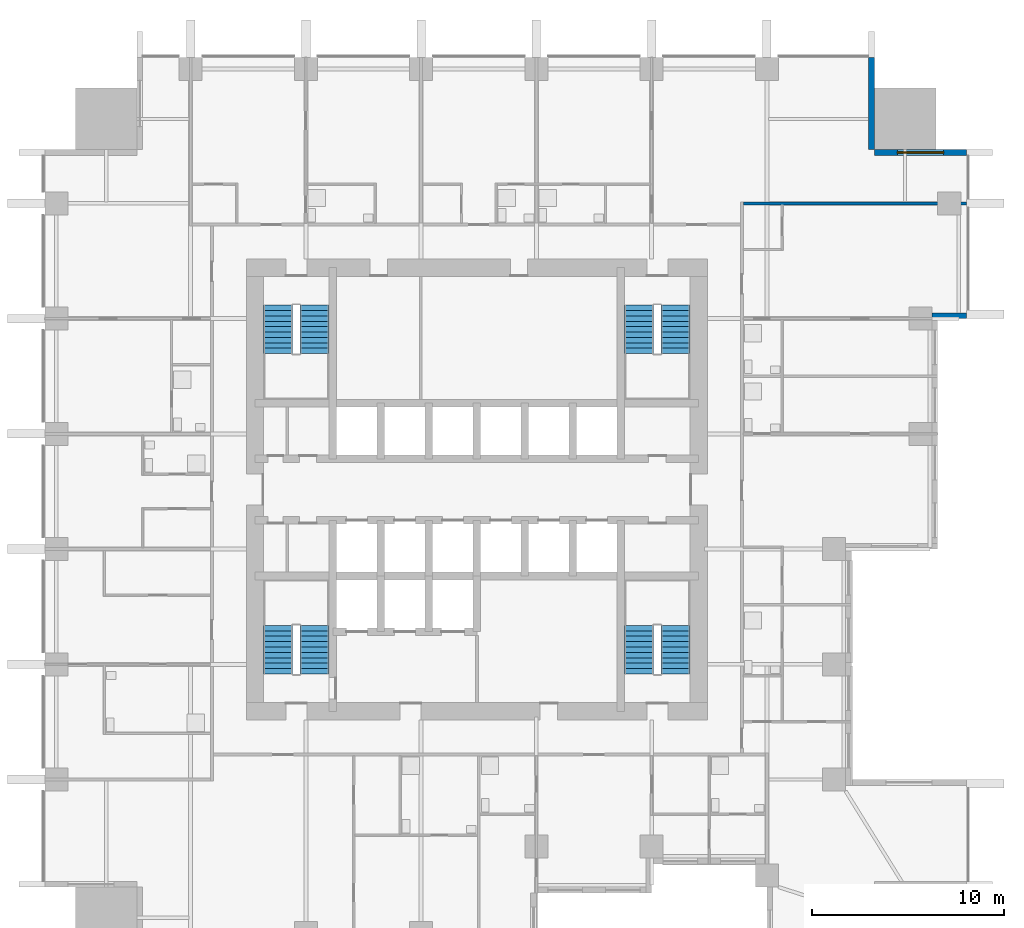
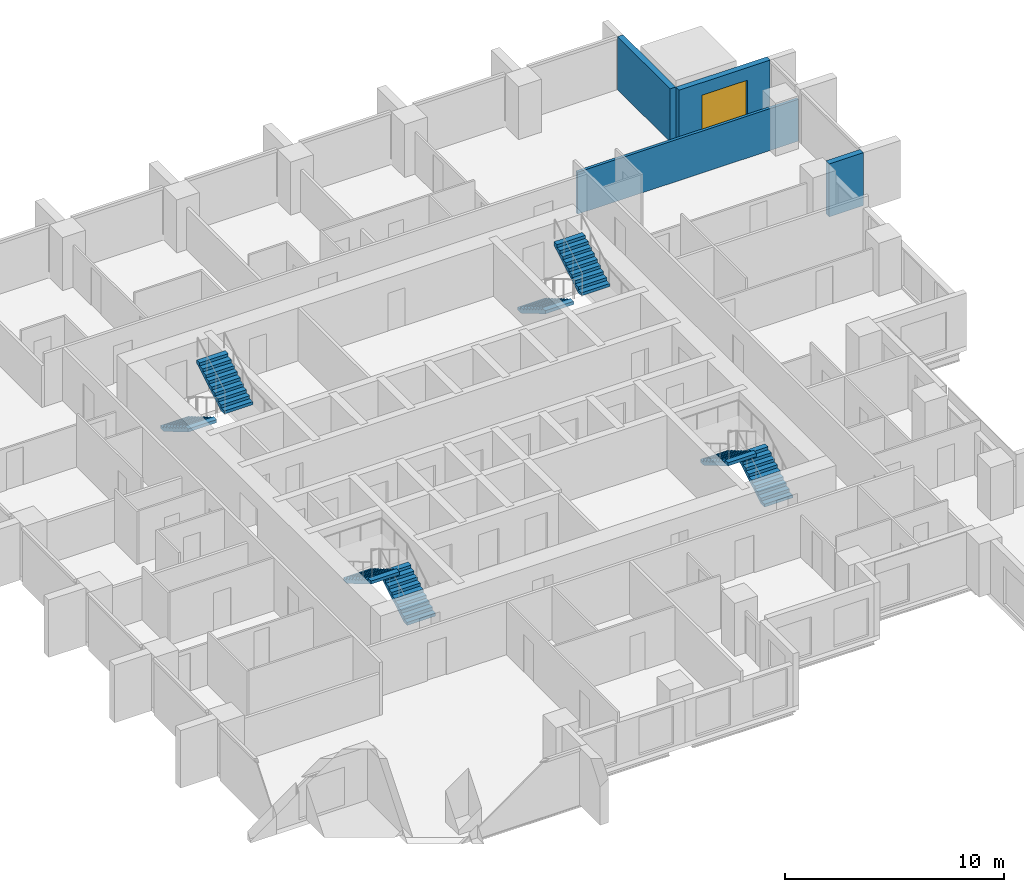
# One storey, part 8 of 10: 8 stair flights, 4 walls, 1 window, 1 opening, 4 elements without a shape of their own.
"""IFC4 building model written with IfcOpenShell, lengths in metres."""

from ifc_helpers import new_model, si_unit, direction, frame, frame_2d, origin, place, context, subcontext, project, spatial, polyline, rectangle, outline, extrude, material, layer, layer_set, type_object, element, fill, aggregate, save


model = new_model("IFC4")

# Units and contexts
model_context = context("Model", 3, precision=1e-05, world=origin(), true_north=direction((0.0, 1.0)))
body_context = subcontext(model_context, "Body", "Model", "MODEL_VIEW")
ifc_project = project(units=[si_unit("LENGTHUNIT", "METRE"), si_unit("AREAUNIT", "SQUARE_METRE"), si_unit("VOLUMEUNIT", "CUBIC_METRE"), si_unit("PLANEANGLEUNIT", "RADIAN"), si_unit("MASSUNIT", "GRAM", prefix="KILO")], contexts=[model_context])

# Site, building, storey
site_placement = place(None, origin())
site = spatial("IfcSite", under=ifc_project, at=site_placement, CompositionType="ELEMENT")
building_placement = place(site_placement, origin())
building = spatial("IfcBuilding", under=site, at=building_placement, Name="Amberfall Residences", CompositionType="ELEMENT")
storey_placement = place(building_placement, frame((0.0, 0.0, 66.39990234375)))
storey = spatial("IfcBuildingStorey", under=building, at=storey_placement, Name="L18", CompositionType="ELEMENT", Elevation=66.39990234375)

# Wall
ifc_material_1 = material(Name="Pale stone cladding on insulated backing", Category="masonry")
ifc_layer_1 = layer(ifc_material_1, 0.300048828125)
ifc_layer_set_1 = layer_set([ifc_layer_1], Name="Bronze clad wall 300")
wall_type_1 = type_object("IfcWallType", Name="Bronze clad wall 300", PredefinedType="SOLIDWALL", material=ifc_layer_set_1)
wall_1_placement = place(storey_placement, frame((98.199951171875, 54.550048828125, 0.0), z_axis=(0.0, 0.0, 1.0), x_axis=(1.0, 0.0, 0.0)))
element("IfcWall", 1, at=wall_1_placement, inside=storey, type_object=wall_type_1, Name="External wall L18 E", PredefinedType="SOLIDWALL", context=body_context, shape_type="SweptSolid", body=[
    extrude(rectangle(XDim=1.800048828125, YDim=0.300048828125, at=frame_2d((0.89990234375, 0.0))), origin(), (0.0, 0.0, 1.0), 2.9501953125),
])

# Wall, opening, window
wall_2_placement = place(storey_placement, frame((100.0, 63.050048828125, 0.0), z_axis=(0.0, 0.0, 1.0), x_axis=(-1.0, 0.0, 0.0)))
wall_2 = element("IfcWall", 2, at=wall_2_placement, inside=storey, type_object=wall_type_1, Name="External wall L18 NE", PredefinedType="SOLIDWALL", context=body_context, shape_type="SweptSolid", body=[
    extrude(rectangle(XDim=4.800048828125, YDim=0.300048828125, at=frame_2d((2.39990234375, 0.0))), origin(), (0.0, 0.0, 1.0), 2.9501953125),
])
opening_placement = place(wall_2_placement, frame((1.199951171875, 0.0, 0.14990234375)))
opening = element("IfcOpeningElement", 3, at=opening_placement, cuts=wall_2, Name="Opening WN5", PredefinedType="OPENING", context=body_context, shape_type="SweptSolid", body=[
    extrude(rectangle(XDim=2.39990234375, YDim=2.10009765625, at=frame_2d((1.199951171875, 1.050048828125))), frame((0.0, 0.159912109375, 0.0), z_axis=(0.0, -1.0, 0.0), x_axis=(1.0, 0.0, 0.0)), (0.0, 0.0, 1.0), 0.320068359375),
])
ifc_material_2 = material(Name="Bronze aluminium framed glazing", Category="aluminium")
window_type = type_object("IfcWindowType", Name="Glazed opening 2400 x 2100 bronze", PartitioningType="DOUBLE_PANEL_VERTICAL", PredefinedType="WINDOW", material=ifc_material_2)
window_placement = place(opening_placement, origin())
window = element("IfcWindow", 4, at=window_placement, inside=storey, type_object=window_type, Name="Window L18 NE", OverallHeight=2.10009765625, OverallWidth=2.39990234375, PartitioningType="DOUBLE_PANEL_VERTICAL", PredefinedType="WINDOW", context=body_context, shape_type="SweptSolid", body=[
    extrude(rectangle(XDim=2.39990234375, YDim=2.10009765625, at=frame_2d((1.199951171875, 1.050048828125))), frame((0.0, 0.030029296875, 0.0), z_axis=(0.0, -1.0, 0.0), x_axis=(1.0, 0.0, 0.0)), (0.0, 0.0, 1.0), 0.06005859375),
])
fill(opening, window)

# Walls
wall_3_placement = place(storey_placement, frame((95.050048828125, 63.199951171875, 0.0), z_axis=(0.0, 0.0, 1.0), x_axis=(0.0, 1.0, 0.0)))
element("IfcWall", 5, at=wall_3_placement, inside=storey, type_object=wall_type_1, Name="External wall L18 NE", PredefinedType="SOLIDWALL", context=body_context, shape_type="SweptSolid", body=[
    extrude(rectangle(XDim=4.800048828125, YDim=0.300048828125, at=frame_2d((2.39990234375, 0.0))), origin(), (0.0, 0.0, 1.0), 2.9501953125),
])
ifc_material_3 = material(Name="Blockwork, plastered", Category="masonry")
ifc_layer_2 = layer(ifc_material_3, 0.14990234375)
ifc_layer_set_2 = layer_set([ifc_layer_2], Name="Flat separating wall 150")
wall_type_2 = type_object("IfcWallType", Name="Flat separating wall 150", PredefinedType="PARTITIONING", material=ifc_layer_set_2)
wall_4_placement = place(storey_placement, frame((88.375, 60.39990234375, 0.0), z_axis=(0.0, 0.0, 1.0), x_axis=(1.0, 0.0, 0.0)))
element("IfcWall", 6, at=wall_4_placement, inside=storey, type_object=wall_type_2, Name="Separating wall 048", PredefinedType="PARTITIONING", context=body_context, shape_type="SweptSolid", body=[
    extrude(rectangle(XDim=11.625, YDim=0.14990234375, at=frame_2d((5.8125, 0.0))), origin(), (0.0, 0.0, 1.0), 2.33203125),
])

# Stair, stair flights
ifc_material_4 = material(Name="Concrete C40", Category="concrete")
stair_type = type_object("IfcStairType", Name="Exit stair 20 risers 165.0 mm", PredefinedType="HALF_TURN_STAIR", material=ifc_material_4)
stair_1_placement = place(storey_placement, origin())
stair_1 = element("IfcStair", 7, at=stair_1_placement, inside=storey, type_object=stair_type, Name="L18 Exit stair 1", PredefinedType="HALF_TURN_STAIR")
stair_flight_type = type_object("IfcStairFlightType", Name="Stair flight 10 risers 165.0 mm", PredefinedType="STRAIGHT", material=ifc_material_4)
stair_flight_1_placement = place(storey_placement, frame((66.050048828125, 35.89990234375, 0.0), z_axis=(0.0, 0.0, 1.0), x_axis=(0.0, 1.0, 0.0)))
stair_flight_1 = element("IfcStairFlight", 8, at=stair_flight_1_placement, type_object=stair_flight_type, Name="ST3 flight 1", NumberOfRisers=10, NumberOfTreads=9, PredefinedType="STRAIGHT", RiserHeight=0.165, TreadLength=0.28, context=body_context, shape_type="SweptSolid", body=[
    extrude(outline(polyline([(0.0, 0.0), (0.0, 0.1650390625), (0.280029296875, 0.1650390625), (0.280029296875, 0.330078125), (0.56005859375, 0.330078125), (0.56005859375, 0.4951171875), (0.840087890625, 0.4951171875), (0.840087890625, 0.659912109375), (1.1201171875, 0.659912109375), (1.1201171875, 0.824951171875), (1.39990234375, 0.824951171875), (1.39990234375, 0.989990234375), (1.679931640625, 0.989990234375), (1.679931640625, 1.155029296875), (1.9599609375, 1.155029296875), (1.9599609375, 1.320068359375), (2.239990234375, 1.320068359375), (2.239990234375, 1.485107421875), (2.52001953125, 1.485107421875), (2.52001953125, 1.64990234375), (2.52001953125, 1.31103515625), (0.295166015625, 0.0), (0.0, 0.0)])), frame((0.0, 0.75, 0.0), z_axis=(0.0, -1.0, 0.0), x_axis=(1.0, 0.0, 0.0)), (0.0, 0.0, 1.0), 1.5),
])
stair_flight_2_placement = place(storey_placement, frame((64.14990234375, 38.419921875, 1.650146484375), z_axis=(0.0, 0.0, 1.0), x_axis=(0.0, -1.0, 0.0)))
stair_flight_2 = element("IfcStairFlight", 9, at=stair_flight_2_placement, type_object=stair_flight_type, Name="ST3 flight 2", NumberOfRisers=10, NumberOfTreads=9, PredefinedType="STRAIGHT", RiserHeight=0.165, TreadLength=0.28, context=body_context, shape_type="SweptSolid", body=[
    extrude(outline(polyline([(0.0, 0.0), (0.0, 0.1650390625), (0.280029296875, 0.1650390625), (0.280029296875, 0.330078125), (0.56005859375, 0.330078125), (0.56005859375, 0.4951171875), (0.840087890625, 0.4951171875), (0.840087890625, 0.659912109375), (1.1201171875, 0.659912109375), (1.1201171875, 0.824951171875), (1.39990234375, 0.824951171875), (1.39990234375, 0.989990234375), (1.679931640625, 0.989990234375), (1.679931640625, 1.155029296875), (1.9599609375, 1.155029296875), (1.9599609375, 1.320068359375), (2.239990234375, 1.320068359375), (2.239990234375, 1.485107421875), (2.52001953125, 1.485107421875), (2.52001953125, 1.64990234375), (2.52001953125, 1.31103515625), (0.295166015625, 0.0), (0.0, 0.0)])), frame((0.0, 0.75, 0.0), z_axis=(0.0, -1.0, 0.0), x_axis=(1.0, 0.0, 0.0)), (0.0, 0.0, 1.0), 1.5),
])
aggregate(stair_1, [stair_flight_1, stair_flight_2])

stair_2_placement = place(storey_placement, origin())
stair_2 = element("IfcStair", 10, at=stair_2_placement, inside=storey, type_object=stair_type, Name="L18 Exit stair 2", PredefinedType="HALF_TURN_STAIR")
stair_flight_3_placement = place(storey_placement, frame((84.85009765625, 35.89990234375, 0.0), z_axis=(0.0, 0.0, 1.0), x_axis=(0.0, 1.0, 0.0)))
stair_flight_3 = element("IfcStairFlight", 11, at=stair_flight_3_placement, type_object=stair_flight_type, Name="ST3 flight 1", NumberOfRisers=10, NumberOfTreads=9, PredefinedType="STRAIGHT", RiserHeight=0.165, TreadLength=0.28, context=body_context, shape_type="SweptSolid", body=[
    extrude(outline(polyline([(0.0, 0.0), (0.0, 0.1650390625), (0.280029296875, 0.1650390625), (0.280029296875, 0.330078125), (0.56005859375, 0.330078125), (0.56005859375, 0.4951171875), (0.840087890625, 0.4951171875), (0.840087890625, 0.659912109375), (1.1201171875, 0.659912109375), (1.1201171875, 0.824951171875), (1.39990234375, 0.824951171875), (1.39990234375, 0.989990234375), (1.679931640625, 0.989990234375), (1.679931640625, 1.155029296875), (1.9599609375, 1.155029296875), (1.9599609375, 1.320068359375), (2.239990234375, 1.320068359375), (2.239990234375, 1.485107421875), (2.52001953125, 1.485107421875), (2.52001953125, 1.64990234375), (2.52001953125, 1.31103515625), (0.295166015625, 0.0), (0.0, 0.0)])), frame((0.0, 0.75, 0.0), z_axis=(0.0, -1.0, 0.0), x_axis=(1.0, 0.0, 0.0)), (0.0, 0.0, 1.0), 1.5),
])
stair_flight_4_placement = place(storey_placement, frame((82.949951171875, 38.419921875, 1.650146484375), z_axis=(0.0, 0.0, 1.0), x_axis=(0.0, -1.0, 0.0)))
stair_flight_4 = element("IfcStairFlight", 12, at=stair_flight_4_placement, type_object=stair_flight_type, Name="ST3 flight 2", NumberOfRisers=10, NumberOfTreads=9, PredefinedType="STRAIGHT", RiserHeight=0.165, TreadLength=0.28, context=body_context, shape_type="SweptSolid", body=[
    extrude(outline(polyline([(0.0, 0.0), (0.0, 0.1650390625), (0.280029296875, 0.1650390625), (0.280029296875, 0.330078125), (0.56005859375, 0.330078125), (0.56005859375, 0.4951171875), (0.840087890625, 0.4951171875), (0.840087890625, 0.659912109375), (1.1201171875, 0.659912109375), (1.1201171875, 0.824951171875), (1.39990234375, 0.824951171875), (1.39990234375, 0.989990234375), (1.679931640625, 0.989990234375), (1.679931640625, 1.155029296875), (1.9599609375, 1.155029296875), (1.9599609375, 1.320068359375), (2.239990234375, 1.320068359375), (2.239990234375, 1.485107421875), (2.52001953125, 1.485107421875), (2.52001953125, 1.64990234375), (2.52001953125, 1.31103515625), (0.295166015625, 0.0), (0.0, 0.0)])), frame((0.0, 0.75, 0.0), z_axis=(0.0, -1.0, 0.0), x_axis=(1.0, 0.0, 0.0)), (0.0, 0.0, 1.0), 1.5),
])
aggregate(stair_2, [stair_flight_3, stair_flight_4])

stair_3_placement = place(storey_placement, origin())
stair_3 = element("IfcStair", 13, at=stair_3_placement, inside=storey, type_object=stair_type, Name="L18 Exit stair 3", PredefinedType="HALF_TURN_STAIR")
stair_flight_5_placement = place(storey_placement, frame((82.949951171875, 55.10009765625, 0.0), z_axis=(0.0, 0.0, 1.0), x_axis=(0.0, -1.0, 0.0)))
stair_flight_5 = element("IfcStairFlight", 14, at=stair_flight_5_placement, type_object=stair_flight_type, Name="ST3 flight 1", NumberOfRisers=10, NumberOfTreads=9, PredefinedType="STRAIGHT", RiserHeight=0.165, TreadLength=0.28, context=body_context, shape_type="SweptSolid", body=[
    extrude(outline(polyline([(0.0, 0.0), (0.0, 0.1650390625), (0.280029296875, 0.1650390625), (0.280029296875, 0.330078125), (0.56005859375, 0.330078125), (0.56005859375, 0.4951171875), (0.840087890625, 0.4951171875), (0.840087890625, 0.659912109375), (1.1201171875, 0.659912109375), (1.1201171875, 0.824951171875), (1.39990234375, 0.824951171875), (1.39990234375, 0.989990234375), (1.679931640625, 0.989990234375), (1.679931640625, 1.155029296875), (1.9599609375, 1.155029296875), (1.9599609375, 1.320068359375), (2.239990234375, 1.320068359375), (2.239990234375, 1.485107421875), (2.52001953125, 1.485107421875), (2.52001953125, 1.64990234375), (2.52001953125, 1.31103515625), (0.295166015625, 0.0), (0.0, 0.0)])), frame((0.0, 0.75, 0.0), z_axis=(0.0, -1.0, 0.0), x_axis=(1.0, 0.0, 0.0)), (0.0, 0.0, 1.0), 1.5),
])
stair_flight_6_placement = place(storey_placement, frame((84.85009765625, 52.580078125, 1.650146484375), z_axis=(0.0, 0.0, 1.0), x_axis=(0.0, 1.0, 0.0)))
stair_flight_6 = element("IfcStairFlight", 15, at=stair_flight_6_placement, type_object=stair_flight_type, Name="ST3 flight 2", NumberOfRisers=10, NumberOfTreads=9, PredefinedType="STRAIGHT", RiserHeight=0.165, TreadLength=0.28, context=body_context, shape_type="SweptSolid", body=[
    extrude(outline(polyline([(0.0, 0.0), (0.0, 0.1650390625), (0.280029296875, 0.1650390625), (0.280029296875, 0.330078125), (0.56005859375, 0.330078125), (0.56005859375, 0.4951171875), (0.840087890625, 0.4951171875), (0.840087890625, 0.659912109375), (1.1201171875, 0.659912109375), (1.1201171875, 0.824951171875), (1.39990234375, 0.824951171875), (1.39990234375, 0.989990234375), (1.679931640625, 0.989990234375), (1.679931640625, 1.155029296875), (1.9599609375, 1.155029296875), (1.9599609375, 1.320068359375), (2.239990234375, 1.320068359375), (2.239990234375, 1.485107421875), (2.52001953125, 1.485107421875), (2.52001953125, 1.64990234375), (2.52001953125, 1.31103515625), (0.295166015625, 0.0), (0.0, 0.0)])), frame((0.0, 0.75, 0.0), z_axis=(0.0, -1.0, 0.0), x_axis=(1.0, 0.0, 0.0)), (0.0, 0.0, 1.0), 1.5),
])
aggregate(stair_3, [stair_flight_5, stair_flight_6])

stair_4_placement = place(storey_placement, origin())
stair_4 = element("IfcStair", 16, at=stair_4_placement, inside=storey, type_object=stair_type, Name="L18 Exit stair 4", PredefinedType="HALF_TURN_STAIR")
stair_flight_7_placement = place(storey_placement, frame((64.14990234375, 55.10009765625, 0.0), z_axis=(0.0, 0.0, 1.0), x_axis=(0.0, -1.0, 0.0)))
stair_flight_7 = element("IfcStairFlight", 17, at=stair_flight_7_placement, type_object=stair_flight_type, Name="ST3 flight 1", NumberOfRisers=10, NumberOfTreads=9, PredefinedType="STRAIGHT", RiserHeight=0.165, TreadLength=0.28, context=body_context, shape_type="SweptSolid", body=[
    extrude(outline(polyline([(0.0, 0.0), (0.0, 0.1650390625), (0.280029296875, 0.1650390625), (0.280029296875, 0.330078125), (0.56005859375, 0.330078125), (0.56005859375, 0.4951171875), (0.840087890625, 0.4951171875), (0.840087890625, 0.659912109375), (1.1201171875, 0.659912109375), (1.1201171875, 0.824951171875), (1.39990234375, 0.824951171875), (1.39990234375, 0.989990234375), (1.679931640625, 0.989990234375), (1.679931640625, 1.155029296875), (1.9599609375, 1.155029296875), (1.9599609375, 1.320068359375), (2.239990234375, 1.320068359375), (2.239990234375, 1.485107421875), (2.52001953125, 1.485107421875), (2.52001953125, 1.64990234375), (2.52001953125, 1.31103515625), (0.295166015625, 0.0), (0.0, 0.0)])), frame((0.0, 0.75, 0.0), z_axis=(0.0, -1.0, 0.0), x_axis=(1.0, 0.0, 0.0)), (0.0, 0.0, 1.0), 1.5),
])
stair_flight_8_placement = place(storey_placement, frame((66.050048828125, 52.580078125, 1.650146484375), z_axis=(0.0, 0.0, 1.0), x_axis=(0.0, 1.0, 0.0)))
stair_flight_8 = element("IfcStairFlight", 18, at=stair_flight_8_placement, type_object=stair_flight_type, Name="ST3 flight 2", NumberOfRisers=10, NumberOfTreads=9, PredefinedType="STRAIGHT", RiserHeight=0.165, TreadLength=0.28, context=body_context, shape_type="SweptSolid", body=[
    extrude(outline(polyline([(0.0, 0.0), (0.0, 0.1650390625), (0.280029296875, 0.1650390625), (0.280029296875, 0.330078125), (0.56005859375, 0.330078125), (0.56005859375, 0.4951171875), (0.840087890625, 0.4951171875), (0.840087890625, 0.659912109375), (1.1201171875, 0.659912109375), (1.1201171875, 0.824951171875), (1.39990234375, 0.824951171875), (1.39990234375, 0.989990234375), (1.679931640625, 0.989990234375), (1.679931640625, 1.155029296875), (1.9599609375, 1.155029296875), (1.9599609375, 1.320068359375), (2.239990234375, 1.320068359375), (2.239990234375, 1.485107421875), (2.52001953125, 1.485107421875), (2.52001953125, 1.64990234375), (2.52001953125, 1.31103515625), (0.295166015625, 0.0), (0.0, 0.0)])), frame((0.0, 0.75, 0.0), z_axis=(0.0, -1.0, 0.0), x_axis=(1.0, 0.0, 0.0)), (0.0, 0.0, 1.0), 1.5),
])
aggregate(stair_4, [stair_flight_7, stair_flight_8])

save(model, "model.ifc")
